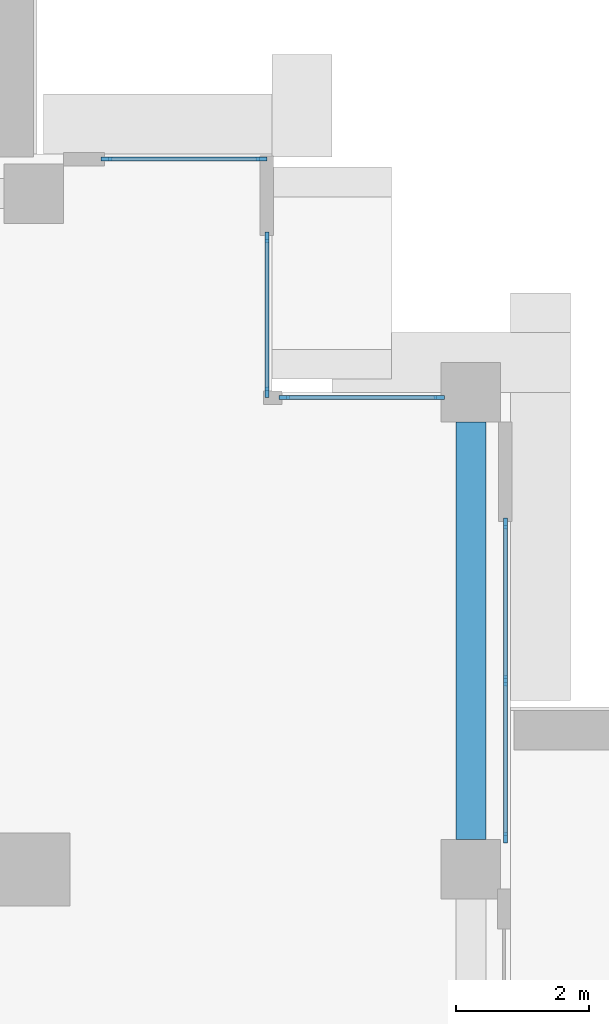
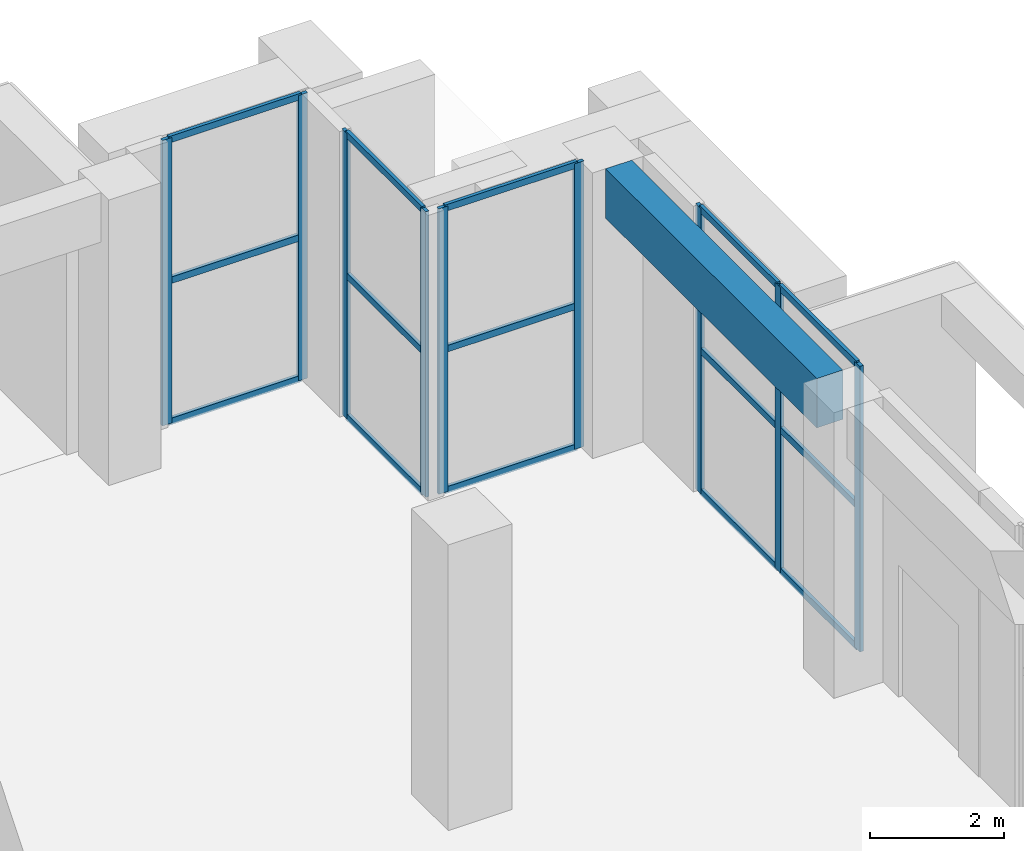
# One storey, part 11 of 25: 24 members, 1 beam, 4 elements without a shape of their own.
"""IFC4 building model written with IfcOpenShell, lengths in metres."""

from ifc_helpers import new_model, si_unit, direction, frame, origin, origin_2d, place, context, subcontext, project, spatial, rectangle, extrude, source, transform, mapped, material, layer, layer_set, material_profile, profile_set, type_object, element, aggregate, save


model = new_model("IFC4")

# Units and contexts
model_context = context("Model", 3, precision=1e-05, world=origin(), true_north=direction((0.0, 1.0)))
body_context = subcontext(model_context, "Body", "Model", "MODEL_VIEW")
ifc_project = project(units=[si_unit("LENGTHUNIT", "METRE"), si_unit("AREAUNIT", "SQUARE_METRE"), si_unit("VOLUMEUNIT", "CUBIC_METRE"), si_unit("PLANEANGLEUNIT", "RADIAN"), si_unit("MASSUNIT", "GRAM", prefix="KILO")], contexts=[model_context])

# Site, building, storey
site_placement = place(None, origin())
site = spatial("IfcSite", under=ifc_project, at=site_placement, CompositionType="ELEMENT")
building_placement = place(site_placement, origin())
building = spatial("IfcBuilding", under=site, at=building_placement, Name="Saffron Iwan Residences", CompositionType="ELEMENT")
storey_placement = place(building_placement, frame((0.0, 0.0, 137.5)))
storey = spatial("IfcBuildingStorey", under=building, at=storey_placement, Name="L36", CompositionType="ELEMENT", Elevation=137.5)

# Beam
ifc_material_1 = material(Name="Concrete C50/60", Category="concrete")
ifc_material_profile_1 = material_profile(ifc_material_1, rectangle(XDim=0.449951171875, YDim=0.89990234375, at=origin_2d()), Name="RC 450x900")
ifc_profile_set_1 = profile_set([ifc_material_profile_1], Name="Concrete C50/60")
beam_type = type_object("IfcBeamType", Name="SPANDREL BEAM RC 450x900 C50/60 TOP 5200", PredefinedType="SPANDREL", material=ifc_profile_set_1)
shared_shape_1 = source(origin(), body_context, "Body", "SweptSolid", [
    extrude(rectangle(XDim=0.449951171875, YDim=0.89990234375, at=origin_2d()), origin(), (0.0, 0.0, 1.0), 6.300048828125),
])
beam_placement = place(storey_placement, frame((85.800048828125, 76.35009765625, 4.75), z_axis=(0.0, -1.0, 0.0), x_axis=(1.0, 0.0, 0.0)))
element("IfcBeam", 1, at=beam_placement, inside=storey, type_object=beam_type, Name="Spandrel beam", PredefinedType="SPANDREL", context=body_context, shape_type="MappedRepresentation", body=[
    mapped(shared_shape_1, transform((0.0, 0.0, 0.0))),
])

# Curtain wall, members
ifc_material_2 = material(Name="Clear glass, laminated double glazed", Category="glass")
ifc_layer = layer(ifc_material_2, 0.14990234375)
ifc_layer_set = layer_set([ifc_layer], Name="Clear glass, laminated double glazed")
curtain_wall_type = type_object("IfcCurtainWallType", Name="CW-C SKY LOBBY GLAZING", PredefinedType="NOTDEFINED", material=ifc_layer_set)
curtain_wall_1_placement = place(storey_placement, origin())
curtain_wall_1 = element("IfcCurtainWall", 2, at=curtain_wall_1_placement, inside=storey, type_object=curtain_wall_type, Name="Glazing L36 F2.3", PredefinedType="NOTDEFINED")
ifc_material_3 = material(Name="Aluminium 6063-T6", Category="aluminium")
ifc_material_profile_2 = material_profile(ifc_material_3, rectangle(XDim=0.06005859375, YDim=0.159912109375, at=origin_2d()), Name="CW-C MULLION 60 x 160")
ifc_profile_set_2 = profile_set([ifc_material_profile_2], Name="Aluminium 6063-T6")
member_type_1 = type_object("IfcMemberType", Name="CW-C MULLION 60 x 160", PredefinedType="MULLION", material=ifc_profile_set_2)
shared_shape_2 = source(origin(), body_context, "Body", "SweptSolid", [
    extrude(rectangle(XDim=0.06005859375, YDim=0.159912109375, at=origin_2d()), origin(), (0.0, 0.0, 1.0), 5.199951171875),
])
member_1_placement = place(storey_placement, frame((86.320068359375, 70.080078125, 0.0), z_axis=(0.0, 0.0, 1.0), x_axis=(-1.0, 0.0, 0.0)))
member_1 = element("IfcMember", 3, at=member_1_placement, type_object=member_type_1, Name="CW-C mullion 1", PredefinedType="MULLION", context=body_context, shape_type="MappedRepresentation", body=[
    mapped(shared_shape_2, transform((0.0, 0.0, 0.0))),
])
member_2_placement = place(storey_placement, frame((86.320068359375, 72.449951171875, 0.0), z_axis=(0.0, 0.0, 1.0), x_axis=(-1.0, 0.0, 0.0)))
member_2 = element("IfcMember", 4, at=member_2_placement, type_object=member_type_1, Name="CW-C mullion 2", PredefinedType="MULLION", context=body_context, shape_type="MappedRepresentation", body=[
    mapped(shared_shape_2, transform((0.0, 0.0, 0.0))),
])
member_3_placement = place(storey_placement, frame((86.320068359375, 74.820068359375, 0.0), z_axis=(0.0, 0.0, 1.0), x_axis=(-1.0, 0.0, 0.0)))
member_3 = element("IfcMember", 5, at=member_3_placement, type_object=member_type_1, Name="CW-C mullion 3", PredefinedType="MULLION", context=body_context, shape_type="MappedRepresentation", body=[
    mapped(shared_shape_2, transform((0.0, 0.0, 0.0))),
])

curtain_wall_2_placement = place(storey_placement, origin())
curtain_wall_2 = element("IfcCurtainWall", 6, at=curtain_wall_2_placement, inside=storey, type_object=curtain_wall_type, Name="Glazing L36 F3.0", PredefinedType="NOTDEFINED")
member_4_placement = place(storey_placement, frame((85.320068359375, 76.719970703125, 0.0), z_axis=(0.0, 0.0, 1.0), x_axis=(0.0, -1.0, 0.0)))
member_4 = element("IfcMember", 7, at=member_4_placement, type_object=member_type_1, Name="CW-C mullion 1", PredefinedType="MULLION", context=body_context, shape_type="MappedRepresentation", body=[
    mapped(shared_shape_2, transform((0.0, 0.0, 0.0))),
])
member_5_placement = place(storey_placement, frame((82.97998046875, 76.719970703125, 0.0), z_axis=(0.0, 0.0, 1.0), x_axis=(0.0, -1.0, 0.0)))
member_5 = element("IfcMember", 8, at=member_5_placement, type_object=member_type_1, Name="CW-C mullion 2", PredefinedType="MULLION", context=body_context, shape_type="MappedRepresentation", body=[
    mapped(shared_shape_2, transform((0.0, 0.0, 0.0))),
])

curtain_wall_3_placement = place(storey_placement, origin())
curtain_wall_3 = element("IfcCurtainWall", 9, at=curtain_wall_3_placement, inside=storey, type_object=curtain_wall_type, Name="Glazing L36 F4.0", PredefinedType="NOTDEFINED")
member_6_placement = place(storey_placement, frame((82.719970703125, 76.800048828125, 0.0), z_axis=(0.0, 0.0, 1.0), x_axis=(-1.0, 0.0, 0.0)))
member_6 = element("IfcMember", 10, at=member_6_placement, type_object=member_type_1, Name="CW-C mullion 1", PredefinedType="MULLION", context=body_context, shape_type="MappedRepresentation", body=[
    mapped(shared_shape_2, transform((0.0, 0.0, 0.0))),
])
member_7_placement = place(storey_placement, frame((82.719970703125, 79.139892578125, 0.0), z_axis=(0.0, 0.0, 1.0), x_axis=(-1.0, 0.0, 0.0)))
member_7 = element("IfcMember", 11, at=member_7_placement, type_object=member_type_1, Name="CW-C mullion 2", PredefinedType="MULLION", context=body_context, shape_type="MappedRepresentation", body=[
    mapped(shared_shape_2, transform((0.0, 0.0, 0.0))),
])

curtain_wall_4_placement = place(storey_placement, origin())
curtain_wall_4 = element("IfcCurtainWall", 12, at=curtain_wall_4_placement, inside=storey, type_object=curtain_wall_type, Name="Glazing L36 F5.0", PredefinedType="NOTDEFINED")
member_8_placement = place(storey_placement, frame((82.639892578125, 80.320068359375, 0.0), z_axis=(0.0, 0.0, 1.0), x_axis=(0.0, -1.0, 0.0)))
member_8 = element("IfcMember", 13, at=member_8_placement, type_object=member_type_1, Name="CW-C mullion 1", PredefinedType="MULLION", context=body_context, shape_type="MappedRepresentation", body=[
    mapped(shared_shape_2, transform((0.0, 0.0, 0.0))),
])
member_9_placement = place(storey_placement, frame((80.300048828125, 80.320068359375, 0.0), z_axis=(0.0, 0.0, 1.0), x_axis=(0.0, -1.0, 0.0)))
member_9 = element("IfcMember", 14, at=member_9_placement, type_object=member_type_1, Name="CW-C mullion 2", PredefinedType="MULLION", context=body_context, shape_type="MappedRepresentation", body=[
    mapped(shared_shape_2, transform((0.0, 0.0, 0.0))),
])

# Member
ifc_material_profile_3 = material_profile(ifc_material_3, rectangle(XDim=0.06005859375, YDim=0.1201171875, at=origin_2d()), Name="CW-C TRANSOM 60 x 120")
ifc_profile_set_3 = profile_set([ifc_material_profile_3], Name="Aluminium 6063-T6")
member_type_2 = type_object("IfcMemberType", Name="CW-C TRANSOM 60 x 120", PredefinedType="USERDEFINED", material=ifc_profile_set_3)
shared_shape_3 = source(origin(), body_context, "Body", "SweptSolid", [
    extrude(rectangle(XDim=0.06005859375, YDim=0.1201171875, at=origin_2d()), origin(), (0.0, 0.0, 1.0), 2.31005859375),
])
member_10_placement = place(storey_placement, frame((86.320068359375, 72.47998046875, 0.030029296875), z_axis=(0.0, 1.0, 0.0), x_axis=(-1.0, 0.0, 0.0)))
member_10 = element("IfcMember", 15, at=member_10_placement, type_object=member_type_2, Name="CW-C transom 2.1", ObjectType="TRANSOM", PredefinedType="USERDEFINED", context=body_context, shape_type="MappedRepresentation", body=[
    mapped(shared_shape_3, transform((0.0, 0.0, 0.0))),
])

member_11_placement = place(storey_placement, frame((86.320068359375, 72.47998046875, 2.60009765625), z_axis=(0.0, 1.0, 0.0), x_axis=(-1.0, 0.0, 0.0)))
member_11 = element("IfcMember", 16, at=member_11_placement, type_object=member_type_2, Name="CW-C transom 2.2", ObjectType="TRANSOM", PredefinedType="USERDEFINED", context=body_context, shape_type="MappedRepresentation", body=[
    mapped(shared_shape_3, transform((0.0, 0.0, 0.0))),
])

member_12_placement = place(storey_placement, frame((86.320068359375, 72.47998046875, 5.169921875), z_axis=(0.0, 1.0, 0.0), x_axis=(-1.0, 0.0, 0.0)))
member_12 = element("IfcMember", 17, at=member_12_placement, type_object=member_type_2, Name="CW-C transom 2.3", ObjectType="TRANSOM", PredefinedType="USERDEFINED", context=body_context, shape_type="MappedRepresentation", body=[
    mapped(shared_shape_3, transform((0.0, 0.0, 0.0))),
])

shared_shape_4 = source(origin(), body_context, "Body", "SweptSolid", [
    extrude(rectangle(XDim=0.06005859375, YDim=0.1201171875, at=origin_2d()), origin(), (0.0, 0.0, 1.0), 2.309814453125),
])
member_13_placement = place(storey_placement, frame((86.320068359375, 70.110107421875, 0.030029296875), z_axis=(0.0, 1.0, 0.0), x_axis=(-1.0, 0.0, 0.0)))
member_13 = element("IfcMember", 18, at=member_13_placement, type_object=member_type_2, Name="CW-C transom 1.1", ObjectType="TRANSOM", PredefinedType="USERDEFINED", context=body_context, shape_type="MappedRepresentation", body=[
    mapped(shared_shape_4, transform((0.0, 0.0, 0.0))),
])

member_14_placement = place(storey_placement, frame((86.320068359375, 70.110107421875, 2.60009765625), z_axis=(0.0, 1.0, 0.0), x_axis=(-1.0, 0.0, 0.0)))
member_14 = element("IfcMember", 19, at=member_14_placement, type_object=member_type_2, Name="CW-C transom 1.2", ObjectType="TRANSOM", PredefinedType="USERDEFINED", context=body_context, shape_type="MappedRepresentation", body=[
    mapped(shared_shape_4, transform((0.0, 0.0, 0.0))),
])

member_15_placement = place(storey_placement, frame((86.320068359375, 70.110107421875, 5.169921875), z_axis=(0.0, 1.0, 0.0), x_axis=(-1.0, 0.0, 0.0)))
member_15 = element("IfcMember", 20, at=member_15_placement, type_object=member_type_2, Name="CW-C transom 1.3", ObjectType="TRANSOM", PredefinedType="USERDEFINED", context=body_context, shape_type="MappedRepresentation", body=[
    mapped(shared_shape_4, transform((0.0, 0.0, 0.0))),
])

aggregate(curtain_wall_1, [member_1, member_2, member_3, member_13, member_14, member_15, member_10, member_11, member_12])

shared_shape_5 = source(origin(), body_context, "Body", "SweptSolid", [
    extrude(rectangle(XDim=0.06005859375, YDim=0.1201171875, at=origin_2d()), origin(), (0.0, 0.0, 1.0), 2.280029296875),
])
member_16_placement = place(storey_placement, frame((85.2900390625, 76.719970703125, 0.030029296875), z_axis=(-1.0, 0.0, 0.0), x_axis=(0.0, -1.0, 0.0)))
member_16 = element("IfcMember", 21, at=member_16_placement, type_object=member_type_2, Name="CW-C transom 1.1", ObjectType="TRANSOM", PredefinedType="USERDEFINED", context=body_context, shape_type="MappedRepresentation", body=[
    mapped(shared_shape_5, transform((0.0, 0.0, 0.0))),
])

member_17_placement = place(storey_placement, frame((85.2900390625, 76.719970703125, 2.60009765625), z_axis=(-1.0, 0.0, 0.0), x_axis=(0.0, -1.0, 0.0)))
member_17 = element("IfcMember", 22, at=member_17_placement, type_object=member_type_2, Name="CW-C transom 1.2", ObjectType="TRANSOM", PredefinedType="USERDEFINED", context=body_context, shape_type="MappedRepresentation", body=[
    mapped(shared_shape_5, transform((0.0, 0.0, 0.0))),
])

member_18_placement = place(storey_placement, frame((85.2900390625, 76.719970703125, 5.169921875), z_axis=(-1.0, 0.0, 0.0), x_axis=(0.0, -1.0, 0.0)))
member_18 = element("IfcMember", 23, at=member_18_placement, type_object=member_type_2, Name="CW-C transom 1.3", ObjectType="TRANSOM", PredefinedType="USERDEFINED", context=body_context, shape_type="MappedRepresentation", body=[
    mapped(shared_shape_5, transform((0.0, 0.0, 0.0))),
])

aggregate(curtain_wall_2, [member_4, member_5, member_16, member_17, member_18])

member_19_placement = place(storey_placement, frame((82.719970703125, 76.830078125, 0.030029296875), z_axis=(0.0, 1.0, 0.0), x_axis=(-1.0, 0.0, 0.0)))
member_19 = element("IfcMember", 24, at=member_19_placement, type_object=member_type_2, Name="CW-C transom 1.1", ObjectType="TRANSOM", PredefinedType="USERDEFINED", context=body_context, shape_type="MappedRepresentation", body=[
    mapped(shared_shape_5, transform((0.0, 0.0, 0.0))),
])

member_20_placement = place(storey_placement, frame((82.719970703125, 76.830078125, 2.60009765625), z_axis=(0.0, 1.0, 0.0), x_axis=(-1.0, 0.0, 0.0)))
member_20 = element("IfcMember", 25, at=member_20_placement, type_object=member_type_2, Name="CW-C transom 1.2", ObjectType="TRANSOM", PredefinedType="USERDEFINED", context=body_context, shape_type="MappedRepresentation", body=[
    mapped(shared_shape_5, transform((0.0, 0.0, 0.0))),
])

member_21_placement = place(storey_placement, frame((82.719970703125, 76.830078125, 5.169921875), z_axis=(0.0, 1.0, 0.0), x_axis=(-1.0, 0.0, 0.0)))
member_21 = element("IfcMember", 26, at=member_21_placement, type_object=member_type_2, Name="CW-C transom 1.3", ObjectType="TRANSOM", PredefinedType="USERDEFINED", context=body_context, shape_type="MappedRepresentation", body=[
    mapped(shared_shape_5, transform((0.0, 0.0, 0.0))),
])

aggregate(curtain_wall_3, [member_6, member_7, member_19, member_20, member_21])

member_22_placement = place(storey_placement, frame((82.610107421875, 80.320068359375, 0.030029296875), z_axis=(-1.0, 0.0, 0.0), x_axis=(0.0, -1.0, 0.0)))
member_22 = element("IfcMember", 27, at=member_22_placement, type_object=member_type_2, Name="CW-C transom 1.1", ObjectType="TRANSOM", PredefinedType="USERDEFINED", context=body_context, shape_type="MappedRepresentation", body=[
    mapped(shared_shape_5, transform((0.0, 0.0, 0.0))),
])

member_23_placement = place(storey_placement, frame((82.610107421875, 80.320068359375, 2.60009765625), z_axis=(-1.0, 0.0, 0.0), x_axis=(0.0, -1.0, 0.0)))
member_23 = element("IfcMember", 28, at=member_23_placement, type_object=member_type_2, Name="CW-C transom 1.2", ObjectType="TRANSOM", PredefinedType="USERDEFINED", context=body_context, shape_type="MappedRepresentation", body=[
    mapped(shared_shape_5, transform((0.0, 0.0, 0.0))),
])

member_24_placement = place(storey_placement, frame((82.610107421875, 80.320068359375, 5.169921875), z_axis=(-1.0, 0.0, 0.0), x_axis=(0.0, -1.0, 0.0)))
member_24 = element("IfcMember", 29, at=member_24_placement, type_object=member_type_2, Name="CW-C transom 1.3", ObjectType="TRANSOM", PredefinedType="USERDEFINED", context=body_context, shape_type="MappedRepresentation", body=[
    mapped(shared_shape_5, transform((0.0, 0.0, 0.0))),
])

aggregate(curtain_wall_4, [member_8, member_9, member_22, member_23, member_24])

save(model, "model.ifc")
